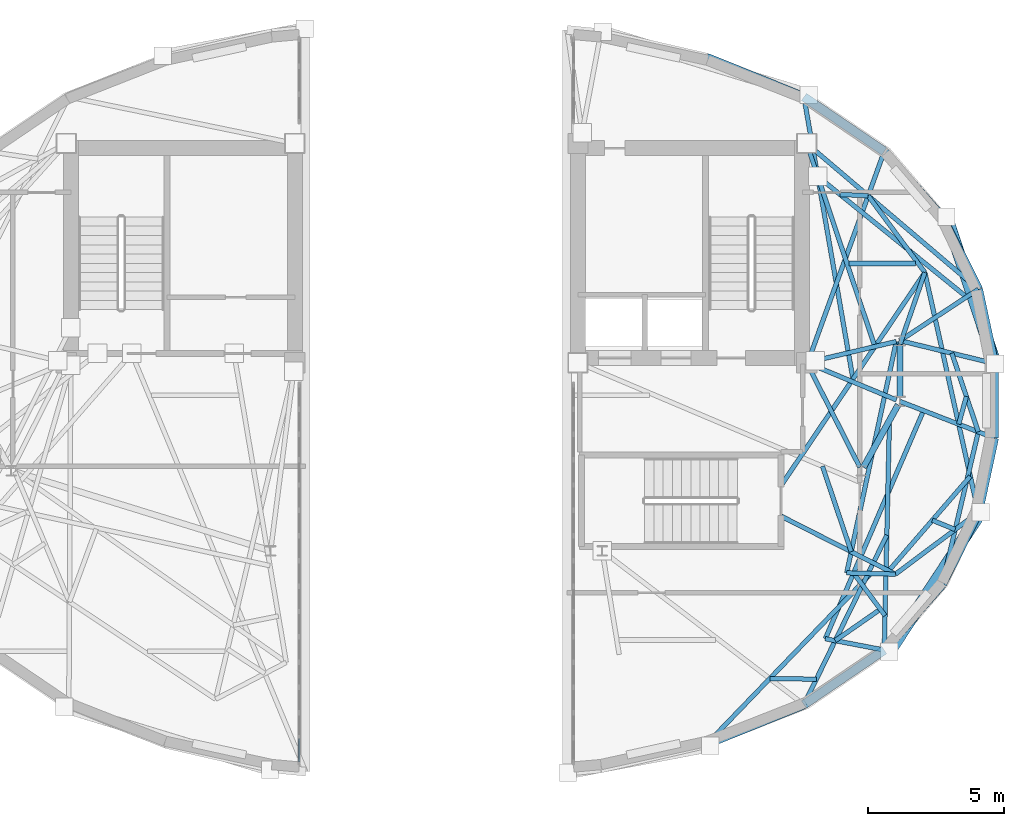
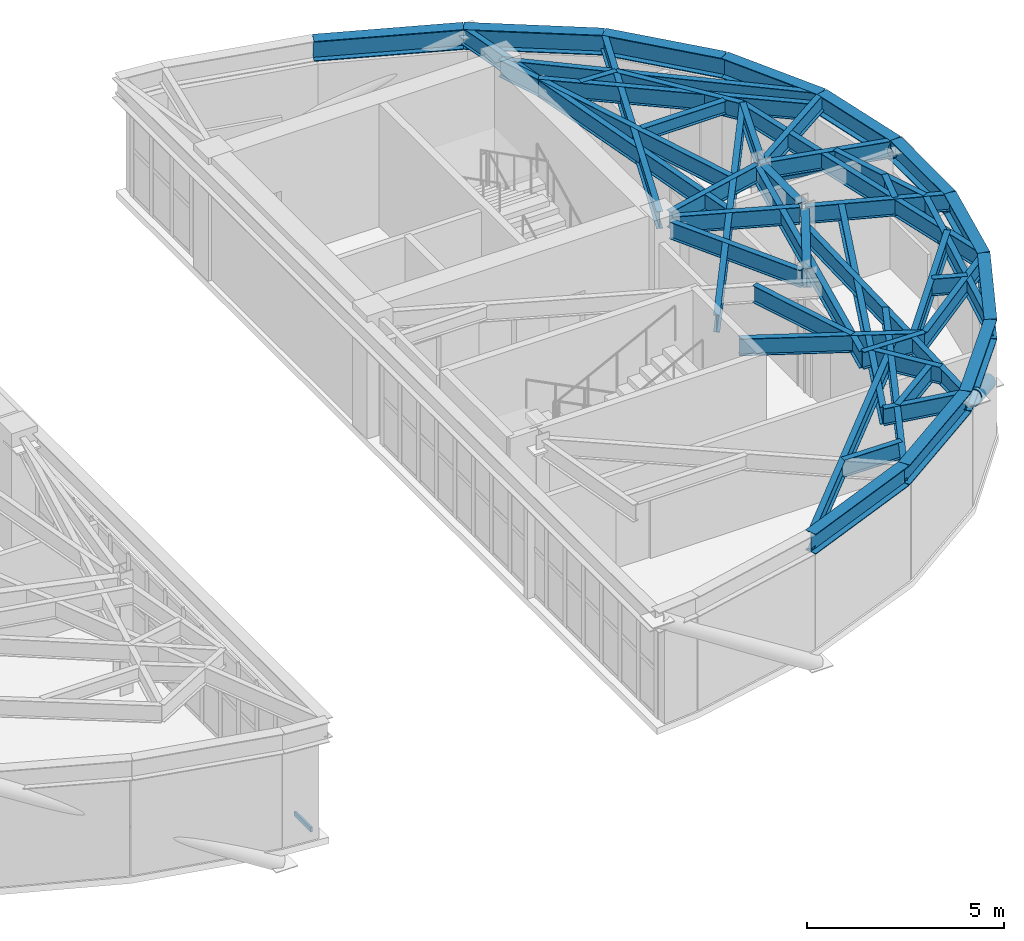
# One storey, part 5 of 13: 48 beams, 3 members, 1 element without a shape of its own.
"""IFC4 building model written with IfcOpenShell, lengths in metres."""

from ifc_helpers import new_model, si_unit, direction, frame, origin, origin_2d, place, context, subcontext, project, spatial, rectangle, hollow_circle, i_section, extrude, material, layer, layer_set, material_profile, profile_set, type_object, element, aggregate, save


model = new_model("IFC4")

# Units and contexts
model_context = context("Model", 3, precision=1e-05, world=origin(), true_north=direction((0.0, 1.0)))
body_context = subcontext(model_context, "Body", "Model", "MODEL_VIEW")
ifc_project = project(units=[si_unit("LENGTHUNIT", "METRE"), si_unit("AREAUNIT", "SQUARE_METRE"), si_unit("VOLUMEUNIT", "CUBIC_METRE"), si_unit("PLANEANGLEUNIT", "RADIAN"), si_unit("MASSUNIT", "GRAM", prefix="KILO")], contexts=[model_context])

# Site, building, storey
site_placement = place(None, origin())
site = spatial("IfcSite", under=ifc_project, at=site_placement, CompositionType="ELEMENT")
building_placement = place(site_placement, origin())
building = spatial("IfcBuilding", under=site, at=building_placement, Name="Keldmark Tower", CompositionType="ELEMENT")
storey_placement = place(building_placement, frame((0.0, 0.0, 273.0)))
storey = spatial("IfcBuildingStorey", under=building, at=storey_placement, Name="L77", CompositionType="ELEMENT", Elevation=273.0)

# Beam
ifc_material_1 = material(Name="Steel ASTM A992 Grade 50", Category="steel")
ifc_material_profile_1 = material_profile(ifc_material_1, i_section(OverallWidth=0.177978515625, OverallDepth=0.403076171875, WebThickness=0.007568359375, FlangeThickness=0.010986328125, at=origin_2d()), Name="W16X36")
ifc_profile_set_1 = profile_set([ifc_material_profile_1], Name="Steel ASTM A992 Grade 50")
beam_type_1 = type_object("IfcBeamType", Name="Composite Floor Joist W16X36", PredefinedType="JOIST", material=ifc_profile_set_1)
beam_1_placement = place(storey_placement, frame((15.160400390625, 5.0400390625, 3.3984375), z_axis=(1.0, 0.0, 0.0), x_axis=(0.0, 1.0, 0.0)))
element("IfcBeam", 1, at=beam_1_placement, inside=storey, type_object=beam_type_1, Name="L77 Composite Floor Joist J03", PredefinedType="JOIST", context=body_context, shape_type="SweptSolid", body=[
    extrude(i_section(OverallWidth=0.177978515625, OverallDepth=0.403076171875, WebThickness=0.007568359375, FlangeThickness=0.010986328125, at=origin_2d()), origin(), (0.0, 0.0, 1.0), 2.4423828125),
])

# Members
ifc_material_2 = material(Name="Steel ASTM A572 Grade 50", Category="steel")
ifc_material_profile_2 = material_profile(ifc_material_2, hollow_circle(Radius=0.22509765625, WallThickness=0.02197265625, at=origin_2d()), Name="CHS450X22")
ifc_profile_set_2 = profile_set([ifc_material_profile_2], Name="Steel ASTM A572 Grade 50")
member_type_1 = type_object("IfcMemberType", Name="Crown Frame Brace CHS450X22", PredefinedType="USERDEFINED", material=ifc_profile_set_2)
member_1_placement = place(storey_placement, frame((18.736328125, 6.7578125, -0.449951171875), z_axis=(0.261880141943, -0.788996947963, 0.555790074903), x_axis=(0.949086281616, 0.315016237752, 0.0)))
element("IfcMember", 2, at=member_1_placement, inside=storey, type_object=member_type_1, Name="L77 Crown Frame Diagonal E04", ObjectType="CROWN FRAME", PredefinedType="USERDEFINED", context=body_context, shape_type="SweptSolid", body=[
    extrude(hollow_circle(Radius=0.22509765625, WallThickness=0.02197265625, at=origin_2d()), origin(), (0.0, 0.0, 1.0), 6.837158203125),
])
member_2_placement = place(storey_placement, frame((19.99658203125, -4.092041015625, -0.449951171875), z_axis=(-0.465706241681, -0.710802312588, 0.527141128046), x_axis=(0.836456719746, -0.548032988051, 0.0)))
element("IfcMember", 3, at=member_2_placement, inside=storey, type_object=member_type_1, Name="L77 Crown Frame Diagonal E08", ObjectType="CROWN FRAME", PredefinedType="USERDEFINED", context=body_context, shape_type="SweptSolid", body=[
    extrude(hollow_circle(Radius=0.22509765625, WallThickness=0.02197265625, at=origin_2d()), origin(), (0.0, 0.0, 1.0), 7.208740234375),
])

# Curtain wall, member
ifc_material_3 = material(Name="Unitized Thermally Broken Aluminum and Triple Low-E Glazing", Category="aluminium")
ifc_layer = layer(ifc_material_3, 0.219970703125)
ifc_layer_set = layer_set([ifc_layer], Name="Unitized Thermally Broken Aluminum and Triple Low-E Glazing")
curtain_wall_type = type_object("IfcCurtainWallType", Name="Split-Top Crown Lantern Curtain Wall System", PredefinedType="NOTDEFINED", material=ifc_layer_set)
curtain_wall_placement = place(storey_placement, origin())
curtain_wall = element("IfcCurtainWall", 4, at=curtain_wall_placement, inside=storey, type_object=curtain_wall_type, Name="L77 Split-Top Crown Lantern Curtain Wall System CW-L77-WS14-0", PredefinedType="NOTDEFINED")
ifc_material_4 = material(Name="Extruded Aluminum Alloy 6063-T6", Category="aluminium")
ifc_material_profile_3 = material_profile(ifc_material_4, rectangle(XDim=0.06005859375, YDim=0.139892578125, at=origin_2d()), Name="CWT60X140")
ifc_profile_set_3 = profile_set([ifc_material_profile_3], Name="Extruded Aluminum Alloy 6063-T6")
member_type_2 = type_object("IfcMemberType", Name="Curtain Wall Horizontal Transom 60x140", PredefinedType="USERDEFINED", material=ifc_profile_set_3)
member_3_placement = place(storey_placement, frame((-5.0400390625, -13.251953125, 0.030029296875), z_axis=(0.0, 1.0, 0.0), x_axis=(-1.0, 0.0, 0.0)))
member_3 = element("IfcMember", 5, at=member_3_placement, type_object=member_type_2, Name="CW transom 1.1", ObjectType="TRANSOM", PredefinedType="USERDEFINED", context=body_context, shape_type="SweptSolid", body=[
    extrude(rectangle(XDim=0.06005859375, YDim=0.139892578125, at=origin_2d()), origin(), (0.0, 0.0, 1.0), 0.8388671875),
])
aggregate(curtain_wall, [member_3])

# Beams
ifc_material_5 = material(Name="Steel ASTM A992 Grade 50", Category="steel")
ifc_material_profile_4 = material_profile(ifc_material_5, i_section(OverallWidth=0.22802734375, OverallDepth=0.60302734375, WebThickness=0.010498046875, FlangeThickness=0.014892578125, at=origin_2d()), Name="W24X68")
ifc_profile_set_4 = profile_set([ifc_material_profile_4], Name="Steel ASTM A992 Grade 50")
beam_type_2 = type_object("IfcBeamType", Name="Primary Floor Girder W24X68", PredefinedType="BEAM", material=ifc_profile_set_4)
beam_2_placement = place(storey_placement, frame((15.68408203125, -2.44482421875, 3.298583984375), z_axis=(0.484719680408, 0.874669555561, 0.0), x_axis=(-0.874669555561, 0.484719680408, 0.0)))
element("IfcBeam", 6, at=beam_2_placement, inside=storey, type_object=beam_type_2, Name="L77 Floor Ring Girder FG-R07", PredefinedType="BEAM", context=body_context, shape_type="SweptSolid", body=[
    extrude(i_section(OverallWidth=0.22802734375, OverallDepth=0.60302734375, WebThickness=0.010498046875, FlangeThickness=0.014892578125, at=origin_2d()), origin(), (0.0, 0.0, 1.0), 2.627685546875),
])
beam_3_placement = place(storey_placement, frame((17.025634765625, 0.115966796875, 3.298583984375), z_axis=(0.0, 1.0, 0.0), x_axis=(-1.0, 0.0, 0.0)))
element("IfcBeam", 7, at=beam_3_placement, inside=storey, type_object=beam_type_2, Name="L77 Floor Ring Girder FG-R08", PredefinedType="BEAM", context=body_context, shape_type="SweptSolid", body=[
    extrude(i_section(OverallWidth=0.22802734375, OverallDepth=0.60302734375, WebThickness=0.010498046875, FlangeThickness=0.014892578125, at=origin_2d()), origin(), (0.0, 0.0, 1.0), 1.9521484375),
])
ifc_material_6 = material(Name="Steel ASTM A992 Grade 50", Category="steel")
ifc_material_profile_5 = material_profile(ifc_material_6, i_section(OverallWidth=0.166015625, OverallDepth=0.529052734375, WebThickness=0.009765625, FlangeThickness=0.013671875, at=origin_2d()), Name="W21X50")
ifc_profile_set_5 = profile_set([ifc_material_profile_5], Name="Steel ASTM A992 Grade 50")
beam_type_3 = type_object("IfcBeamType", Name="Radial Tie Girder W21X50", PredefinedType="BEAM", material=ifc_profile_set_5)
beam_4_placement = place(storey_placement, frame((16.889404296875, 2.17578125, 3.33544921875), z_axis=(-0.97329039005, -0.229577474147, 0.0), x_axis=(0.229577474147, -0.97329039005, 0.0)))
element("IfcBeam", 8, at=beam_4_placement, inside=storey, type_object=beam_type_3, Name="L77 Floor Radial Girder FG-C01", PredefinedType="BEAM", context=body_context, shape_type="SweptSolid", body=[
    extrude(i_section(OverallWidth=0.166015625, OverallDepth=0.529052734375, WebThickness=0.009765625, FlangeThickness=0.013671875, at=origin_2d()), origin(), (0.0, 0.0, 1.0), 3.0595703125),
])
beam_5_placement = place(storey_placement, frame((15.552734375, -2.442626953125, 3.33544921875), z_axis=(-0.453004410574, 0.89150827478, 0.0), x_axis=(-0.89150827478, -0.453004410574, 0.0)))
element("IfcBeam", 9, at=beam_5_placement, inside=storey, type_object=beam_type_3, Name="L77 Floor Radial Girder FG-C11", PredefinedType="BEAM", context=body_context, shape_type="SweptSolid", body=[
    extrude(i_section(OverallWidth=0.166015625, OverallDepth=0.529052734375, WebThickness=0.009765625, FlangeThickness=0.013671875, at=origin_2d()), origin(), (0.0, 0.0, 1.0), 3.990234375),
])
beam_6_placement = place(storey_placement, frame((16.896240234375, 0.02978515625, 3.33544921875), z_axis=(-0.923403331902, 0.383831065226, 0.0), x_axis=(-0.383831065226, -0.923403331902, 0.0)))
element("IfcBeam", 10, at=beam_6_placement, inside=storey, type_object=beam_type_3, Name="L77 Floor Radial Girder FG-C12", PredefinedType="BEAM", context=body_context, shape_type="SweptSolid", body=[
    extrude(i_section(OverallWidth=0.166015625, OverallDepth=0.529052734375, WebThickness=0.009765625, FlangeThickness=0.013671875, at=origin_2d()), origin(), (0.0, 0.0, 1.0), 3.249755859375),
])
beam_7_placement = place(storey_placement, frame((16.889404296875, 2.17578125, 3.33544921875), z_axis=(-0.209341049255, -0.977842689341, 0.0), x_axis=(0.977842689341, -0.209341049255, 0.0)))
element("IfcBeam", 11, at=beam_7_placement, inside=storey, type_object=beam_type_3, Name="L77 Sub-Ring Step Girder STP1-E07", PredefinedType="BEAM", context=body_context, shape_type="SweptSolid", body=[
    extrude(i_section(OverallWidth=0.166015625, OverallDepth=0.529052734375, WebThickness=0.009765625, FlangeThickness=0.013671875, at=origin_2d()), origin(), (0.0, 0.0, 1.0), 8.689697265625),
])
beam_8_placement = place(storey_placement, frame((13.60009765625, 9.449951171875, 3.33544921875), z_axis=(0.318321419366, -0.947982844767, 0.0), x_axis=(0.947982844767, 0.318321419366, 0.0)))
element("IfcBeam", 12, at=beam_8_placement, inside=storey, type_object=beam_type_3, Name="L77 Framing Pin Header PH-002", PredefinedType="BEAM", context=body_context, shape_type="SweptSolid", body=[
    extrude(i_section(OverallWidth=0.166015625, OverallDepth=0.529052734375, WebThickness=0.009765625, FlangeThickness=0.013671875, at=origin_2d()), origin(), (0.0, 0.0, 1.0), 7.8681640625),
])
beam_9_placement = place(storey_placement, frame((12.659912109375, -3.11328125, 3.33544921875), z_axis=(0.559424434358, 0.828881355951, 0.0), x_axis=(-0.828881355951, 0.559424434358, 0.0)))
element("IfcBeam", 13, at=beam_9_placement, inside=storey, type_object=beam_type_3, Name="L77 Intermediate Radial Step Girder CRT-E05M", PredefinedType="BEAM", context=body_context, shape_type="SweptSolid", body=[
    extrude(i_section(OverallWidth=0.166015625, OverallDepth=0.529052734375, WebThickness=0.009765625, FlangeThickness=0.013671875, at=origin_2d()), origin(), (0.0, 0.0, 1.0), 9.439208984375),
])
beam_10_placement = place(storey_placement, frame((17.025634765625, 2.068115234375, 3.33544921875), z_axis=(0.327128555163, 0.944979845498, 0.0), x_axis=(-0.944979845498, 0.327128555163, 0.0)))
element("IfcBeam", 14, at=beam_10_placement, inside=storey, type_object=beam_type_3, Name="L77 Local Collector Chord CRT-E05C", PredefinedType="BEAM", context=body_context, shape_type="SweptSolid", body=[
    extrude(i_section(OverallWidth=0.166015625, OverallDepth=0.529052734375, WebThickness=0.009765625, FlangeThickness=0.013671875, at=origin_2d()), origin(), (0.0, 0.0, 1.0), 2.79638671875),
])
beam_11_placement = place(storey_placement, frame((17.025634765625, 2.2080078125, 3.33544921875), z_axis=(0.836152632855, 0.548496831869, 0.0), x_axis=(-0.548496831869, 0.836152632855, 0.0)))
element("IfcBeam", 15, at=beam_11_placement, inside=storey, type_object=beam_type_3, Name="L77 Perimeter Column Bracket CRT-E06", PredefinedType="BEAM", context=body_context, shape_type="SweptSolid", body=[
    extrude(i_section(OverallWidth=0.166015625, OverallDepth=0.529052734375, WebThickness=0.009765625, FlangeThickness=0.013671875, at=origin_2d()), origin(), (0.0, 0.0, 1.0), 3.441650390625),
])
beam_12_placement = place(storey_placement, frame((17.025634765625, 2.2080078125, 3.33544921875), z_axis=(0.971881945313, -0.235468648389, 0.0), x_axis=(0.235468648389, 0.971881945313, 0.0)))
element("IfcBeam", 16, at=beam_12_placement, inside=storey, type_object=beam_type_3, Name="L77 Perimeter Column Bracket CRT-E07", PredefinedType="BEAM", context=body_context, shape_type="SweptSolid", body=[
    extrude(i_section(OverallWidth=0.166015625, OverallDepth=0.529052734375, WebThickness=0.009765625, FlangeThickness=0.013671875, at=origin_2d()), origin(), (0.0, 0.0, 1.0), 3.5634765625),
])
beam_13_placement = place(storey_placement, frame((17.025634765625, -0.02392578125, 3.33544921875), z_axis=(0.932177211509, -0.362002273947, 0.0), x_axis=(0.362002273947, 0.932177211509, 0.0)))
element("IfcBeam", 17, at=beam_13_placement, inside=storey, type_object=beam_type_3, Name="L77 Perimeter Column Bracket CRT-E08", PredefinedType="BEAM", context=body_context, shape_type="SweptSolid", body=[
    extrude(i_section(OverallWidth=0.166015625, OverallDepth=0.529052734375, WebThickness=0.009765625, FlangeThickness=0.013671875, at=origin_2d()), origin(), (0.0, 0.0, 1.0), 3.71533203125),
])
beam_14_placement = place(storey_placement, frame((18.930419921875, 1.74658203125, 3.33544921875), z_axis=(0.319254465758, -0.947669027717, 0.0), x_axis=(0.947669027717, 0.319254465758, 0.0)))
element("IfcBeam", 18, at=beam_14_placement, inside=storey, type_object=beam_type_3, Name="L77 Framing Pin Header PH-003", PredefinedType="BEAM", context=body_context, shape_type="SweptSolid", body=[
    extrude(i_section(OverallWidth=0.166015625, OverallDepth=0.529052734375, WebThickness=0.009765625, FlangeThickness=0.013671875, at=origin_2d()), origin(), (0.0, 0.0, 1.0), 3.04736328125),
])
beam_15_placement = place(storey_placement, frame((19.465576171875, 0.158203125, 3.33544921875), z_axis=(-0.26758437658, -0.963534431876, 0.0), x_axis=(0.963534431876, -0.26758437658, 0.0)))
element("IfcBeam", 19, at=beam_15_placement, inside=storey, type_object=beam_type_3, Name="L77 Framing Pin Header PH-004", PredefinedType="BEAM", context=body_context, shape_type="SweptSolid", body=[
    extrude(i_section(OverallWidth=0.166015625, OverallDepth=0.529052734375, WebThickness=0.009765625, FlangeThickness=0.013671875, at=origin_2d()), origin(), (0.0, 0.0, 1.0), 1.058349609375),
])
beam_16_placement = place(storey_placement, frame((17.9404296875, 4.710693359375, 3.33544921875), z_axis=(0.217555000643, -0.97604806321, 0.0), x_axis=(0.97604806321, 0.217555000643, 0.0)))
element("IfcBeam", 20, at=beam_16_placement, inside=storey, type_object=beam_type_3, Name="L77 Perimeter Radial Tie Girder CRT-E09", PredefinedType="BEAM", context=body_context, shape_type="SweptSolid", body=[
    extrude(i_section(OverallWidth=0.166015625, OverallDepth=0.529052734375, WebThickness=0.009765625, FlangeThickness=0.013671875, at=origin_2d()), origin(), (0.0, 0.0, 1.0), 9.0224609375),
])
beam_17_placement = place(storey_placement, frame((14.179931640625, -2.406005859375, 3.33544921875), z_axis=(0.319057179734, -0.947735467343, 0.0), x_axis=(0.947735467343, 0.319057179734, 0.0)))
element("IfcBeam", 21, at=beam_17_placement, inside=storey, type_object=beam_type_3, Name="L77 Framing Pin Header PH-005", PredefinedType="BEAM", context=body_context, shape_type="SweptSolid", body=[
    extrude(i_section(OverallWidth=0.166015625, OverallDepth=0.529052734375, WebThickness=0.009765625, FlangeThickness=0.013671875, at=origin_2d()), origin(), (0.0, 0.0, 1.0), 3.311767578125),
])
beam_18_placement = place(storey_placement, frame((12.659912109375, -4.23681640625, 3.33544921875), z_axis=(0.891715373113, -0.452596612176, 0.0), x_axis=(0.452596612176, 0.891715373113, 0.0)))
element("IfcBeam", 22, at=beam_18_placement, inside=storey, type_object=beam_type_3, Name="L77 Intermediate Radial Step Girder CRT-E10M", PredefinedType="BEAM", context=body_context, shape_type="SweptSolid", body=[
    extrude(i_section(OverallWidth=0.166015625, OverallDepth=0.529052734375, WebThickness=0.009765625, FlangeThickness=0.013671875, at=origin_2d()), origin(), (0.0, 0.0, 1.0), 4.709716796875),
])
beam_19_placement = place(storey_placement, frame((15.0703125, -6.3212890625, 3.33544921875), z_axis=(0.99965344723, -0.026324616635, 0.0), x_axis=(0.026324616635, 0.99965344723, 0.0)))
element("IfcBeam", 23, at=beam_19_placement, inside=storey, type_object=beam_type_3, Name="L77 Local Collector Chord CRT-E10C", PredefinedType="BEAM", context=body_context, shape_type="SweptSolid", body=[
    extrude(i_section(OverallWidth=0.166015625, OverallDepth=0.529052734375, WebThickness=0.009765625, FlangeThickness=0.013671875, at=origin_2d()), origin(), (0.0, 0.0, 1.0), 1.7900390625),
])
beam_20_placement = place(storey_placement, frame((19.60888671875, -2.774658203125, 3.33544921875), z_axis=(-0.653774157092, -0.756689732664, 0.0), x_axis=(0.756689732664, -0.653774157092, 0.0)))
element("IfcBeam", 24, at=beam_20_placement, inside=storey, type_object=beam_type_3, Name="L77 Framing Pin Header PH-006", PredefinedType="BEAM", context=body_context, shape_type="SweptSolid", body=[
    extrude(i_section(OverallWidth=0.166015625, OverallDepth=0.529052734375, WebThickness=0.009765625, FlangeThickness=0.013671875, at=origin_2d()), origin(), (0.0, 0.0, 1.0), 4.7373046875),
])
beam_21_placement = place(storey_placement, frame((16.639404296875, -0.72119140625, 3.33544921875), z_axis=(-0.022626104986, -0.999743996918, 0.0), x_axis=(0.999743996918, -0.022626104986, 0.0)))
element("IfcBeam", 25, at=beam_21_placement, inside=storey, type_object=beam_type_3, Name="L77 Perimeter Radial Tie Girder CRT-E11", PredefinedType="BEAM", context=body_context, shape_type="SweptSolid", body=[
    extrude(i_section(OverallWidth=0.166015625, OverallDepth=0.529052734375, WebThickness=0.009765625, FlangeThickness=0.013671875, at=origin_2d()), origin(), (0.0, 0.0, 1.0), 8.43798828125),
])
beam_22_placement = place(storey_placement, frame((16.47705078125, -7.8916015625, 3.33544921875), z_axis=(-0.5939742512, 0.804484051372, 0.0), x_axis=(-0.804484051372, -0.5939742512, 0.0)))
element("IfcBeam", 26, at=beam_22_placement, inside=storey, type_object=beam_type_3, Name="L77 Framing Pin Header PH-007", PredefinedType="BEAM", context=body_context, shape_type="SweptSolid", body=[
    extrude(i_section(OverallWidth=0.166015625, OverallDepth=0.529052734375, WebThickness=0.009765625, FlangeThickness=0.013671875, at=origin_2d()), origin(), (0.0, 0.0, 1.0), 1.94384765625),
])
beam_23_placement = place(storey_placement, frame((17.891357421875, -0.360107421875, 3.33544921875), z_axis=(-0.395378703545, -0.918518198395, 0.0), x_axis=(0.918518198395, -0.395378703545, 0.0)))
element("IfcBeam", 27, at=beam_23_placement, inside=storey, type_object=beam_type_3, Name="L77 Intermediate Radial Step Girder CRT-E12M", PredefinedType="BEAM", context=body_context, shape_type="SweptSolid", body=[
    extrude(i_section(OverallWidth=0.166015625, OverallDepth=0.529052734375, WebThickness=0.009765625, FlangeThickness=0.013671875, at=origin_2d()), origin(), (0.0, 0.0, 1.0), 9.122802734375),
])
beam_24_placement = place(storey_placement, frame((16.448486328125, -9.156982421875, 3.33544921875), z_axis=(-0.981895663116, 0.189422561364, 0.0), x_axis=(-0.189422561364, -0.981895663116, 0.0)))
element("IfcBeam", 28, at=beam_24_placement, inside=storey, type_object=beam_type_3, Name="L77 Local Collector Chord CRT-E12C", PredefinedType="BEAM", context=body_context, shape_type="SweptSolid", body=[
    extrude(i_section(OverallWidth=0.166015625, OverallDepth=0.529052734375, WebThickness=0.009765625, FlangeThickness=0.013671875, at=origin_2d()), origin(), (0.0, 0.0, 1.0), 2.203857421875),
])
beam_25_placement = place(storey_placement, frame((16.303955078125, -7.656982421875, 3.33544921875), z_axis=(-0.820594252534, -0.571511218358, 0.0), x_axis=(0.571511218358, -0.820594252534, 0.0)))
element("IfcBeam", 29, at=beam_25_placement, inside=storey, type_object=beam_type_3, Name="L77 Framing Pin Header PH-008", PredefinedType="BEAM", context=body_context, shape_type="SweptSolid", body=[
    extrude(i_section(OverallWidth=0.166015625, OverallDepth=0.529052734375, WebThickness=0.009765625, FlangeThickness=0.013671875, at=origin_2d()), origin(), (0.0, 0.0, 1.0), 2.01708984375),
])
beam_26_placement = place(storey_placement, frame((16.5439453125, -4.93896484375, 3.33544921875), z_axis=(-0.439779815555, -0.898105625097, 0.0), x_axis=(0.898105625097, -0.439779815555, 0.0)))
element("IfcBeam", 30, at=beam_26_placement, inside=storey, type_object=beam_type_3, Name="L77 Perimeter Radial Tie Girder CRT-E12", PredefinedType="BEAM", context=body_context, shape_type="SweptSolid", body=[
    extrude(i_section(OverallWidth=0.166015625, OverallDepth=0.529052734375, WebThickness=0.009765625, FlangeThickness=0.013671875, at=origin_2d()), origin(), (0.0, 0.0, 1.0), 6.92431640625),
])
beam_27_placement = place(storey_placement, frame((19.4716796875, 3.8125, 3.33544921875), z_axis=(-0.777003951001, 0.629495718913, 0.0), x_axis=(-0.629495718913, -0.777003951001, 0.0)))
element("IfcBeam", 31, at=beam_27_placement, inside=storey, type_object=beam_type_3, Name="L77 Framing Pin Header PH-009", PredefinedType="BEAM", context=body_context, shape_type="SweptSolid", body=[
    extrude(i_section(OverallWidth=0.166015625, OverallDepth=0.529052734375, WebThickness=0.009765625, FlangeThickness=0.013671875, at=origin_2d()), origin(), (0.0, 0.0, 1.0), 7.0341796875),
])
beam_28_placement = place(storey_placement, frame((15.30029296875, 0.798583984375, 3.33544921875), z_axis=(-0.171334315504, 0.985212947708, 0.0), x_axis=(-0.985212947708, -0.171334315504, 0.0)))
element("IfcBeam", 32, at=beam_28_placement, inside=storey, type_object=beam_type_3, Name="L77 Perimeter Radial Tie Girder CRT-E03R", PredefinedType="BEAM", context=body_context, shape_type="SweptSolid", body=[
    extrude(i_section(OverallWidth=0.166015625, OverallDepth=0.529052734375, WebThickness=0.009765625, FlangeThickness=0.013671875, at=origin_2d()), origin(), (0.0, 0.0, 1.0), 10.5146484375),
])
beam_29_placement = place(storey_placement, frame((19.9033203125, 4.095703125, 3.33544921875), z_axis=(-0.762147589353, 0.647403314823, 0.0), x_axis=(-0.647403314823, -0.762147589353, 0.0)))
element("IfcBeam", 33, at=beam_29_placement, inside=storey, type_object=beam_type_3, Name="L77 Straddling Support Chord CRT-E04RB", PredefinedType="BEAM", context=body_context, shape_type="SweptSolid", body=[
    extrude(i_section(OverallWidth=0.166015625, OverallDepth=0.529052734375, WebThickness=0.009765625, FlangeThickness=0.013671875, at=origin_2d()), origin(), (0.0, 0.0, 1.0), 8.270263671875),
])
beam_30_placement = place(storey_placement, frame((14.825927734375, 7.576171875, 3.33544921875), z_axis=(0.999045886046, -0.043672847098, 0.0), x_axis=(0.043672847098, 0.999045886046, 0.0)))
element("IfcBeam", 34, at=beam_30_placement, inside=storey, type_object=beam_type_3, Name="L77 Framing Pin Header PH-010", PredefinedType="BEAM", context=body_context, shape_type="SweptSolid", body=[
    extrude(i_section(OverallWidth=0.166015625, OverallDepth=0.529052734375, WebThickness=0.009765625, FlangeThickness=0.013671875, at=origin_2d()), origin(), (0.0, 0.0, 1.0), 1.0341796875),
])
beam_31_placement = place(storey_placement, frame((13.699951171875, 1.574951171875, 3.33544921875), z_axis=(0.340804674872, 0.940134125317, 0.0), x_axis=(-0.940134125317, 0.340804674872, 0.0)))
element("IfcBeam", 35, at=beam_31_placement, inside=storey, type_object=beam_type_3, Name="L77 Perimeter Radial Tie Girder CRT-E04R", PredefinedType="BEAM", context=body_context, shape_type="SweptSolid", body=[
    extrude(i_section(OverallWidth=0.166015625, OverallDepth=0.529052734375, WebThickness=0.009765625, FlangeThickness=0.013671875, at=origin_2d()), origin(), (0.0, 0.0, 1.0), 8.06494140625),
])
beam_32_placement = place(storey_placement, frame((17.9404296875, 4.710693359375, 3.33544921875), z_axis=(-0.593785735336, 0.804623204059, 0.0), x_axis=(-0.804623204059, -0.593785735336, 0.0)))
element("IfcBeam", 36, at=beam_32_placement, inside=storey, type_object=beam_type_3, Name="L77 Straddling Support Chord CRT-E05RB", PredefinedType="BEAM", context=body_context, shape_type="SweptSolid", body=[
    extrude(i_section(OverallWidth=0.166015625, OverallDepth=0.529052734375, WebThickness=0.009765625, FlangeThickness=0.013671875, at=origin_2d()), origin(), (0.0, 0.0, 1.0), 3.505126953125),
])
beam_33_placement = place(storey_placement, frame((16.859619140625, -6.368408203125, 3.33544921875), z_axis=(0.801270773115, 0.598301887137, 0.0), x_axis=(-0.598301887137, 0.801270773115, 0.0)))
element("IfcBeam", 37, at=beam_33_placement, inside=storey, type_object=beam_type_3, Name="L77 Straddling Support Chord CRT-E10RB", PredefinedType="BEAM", context=body_context, shape_type="SweptSolid", body=[
    extrude(i_section(OverallWidth=0.166015625, OverallDepth=0.529052734375, WebThickness=0.009765625, FlangeThickness=0.013671875, at=origin_2d()), origin(), (0.0, 0.0, 1.0), 3.798583984375),
])
beam_34_placement = place(storey_placement, frame((18.215087890625, -4.3876953125, 3.33544921875), z_axis=(0.926381428143, -0.376586576489, 0.0), x_axis=(0.376586576489, 0.926381428143, 0.0)))
element("IfcBeam", 38, at=beam_34_placement, inside=storey, type_object=beam_type_3, Name="L77 Framing Pin Header PH-011", PredefinedType="BEAM", context=body_context, shape_type="SweptSolid", body=[
    extrude(i_section(OverallWidth=0.166015625, OverallDepth=0.529052734375, WebThickness=0.009765625, FlangeThickness=0.013671875, at=origin_2d()), origin(), (0.0, 0.0, 1.0), 0.90625),
])
beam_35_placement = place(storey_placement, frame((19.9033203125, -1.141357421875, 3.33544921875), z_axis=(-0.230137320693, -0.973158164752, 0.0), x_axis=(0.973158164752, -0.230137320693, 0.0)))
element("IfcBeam", 39, at=beam_35_placement, inside=storey, type_object=beam_type_3, Name="L77 Perimeter Radial Tie Girder CRT-E10R", PredefinedType="BEAM", context=body_context, shape_type="SweptSolid", body=[
    extrude(i_section(OverallWidth=0.166015625, OverallDepth=0.529052734375, WebThickness=0.009765625, FlangeThickness=0.013671875, at=origin_2d()), origin(), (0.0, 0.0, 1.0), 5.749755859375),
])
beam_36_placement = place(storey_placement, frame((13.955810546875, -10.22509765625, 3.33544921875), z_axis=(-0.999915631263, 0.012989624903, 0.0), x_axis=(-0.012989624903, -0.999915631263, 0.0)))
element("IfcBeam", 40, at=beam_36_placement, inside=storey, type_object=beam_type_3, Name="L77 Framing Pin Header PH-012", PredefinedType="BEAM", context=body_context, shape_type="SweptSolid", body=[
    extrude(i_section(OverallWidth=0.166015625, OverallDepth=0.529052734375, WebThickness=0.009765625, FlangeThickness=0.013671875, at=origin_2d()), origin(), (0.0, 0.0, 1.0), 1.71044921875),
])
beam_37_placement = place(storey_placement, frame((15.96484375, -6.344970703125, 3.33544921875), z_axis=(-0.694027460783, -0.719948528493, 0.0), x_axis=(0.719948528493, -0.694027460783, 0.0)))
element("IfcBeam", 41, at=beam_37_placement, inside=storey, type_object=beam_type_3, Name="L77 Perimeter Radial Tie Girder CRT-E13R", PredefinedType="BEAM", context=body_context, shape_type="SweptSolid", body=[
    extrude(i_section(OverallWidth=0.166015625, OverallDepth=0.529052734375, WebThickness=0.009765625, FlangeThickness=0.013671875, at=origin_2d()), origin(), (0.0, 0.0, 1.0), 8.693359375),
])
ifc_material_7 = material(Name="Steel ASTM A992 Grade 50", Category="steel")
ifc_material_profile_6 = material_profile(ifc_material_7, i_section(OverallWidth=0.326904296875, OverallDepth=0.6220703125, WebThickness=0.015380859375, FlangeThickness=0.0244140625, at=origin_2d()), Name="W24X131")
ifc_profile_set_6 = profile_set([ifc_material_profile_6], Name="Steel ASTM A992 Grade 50")
beam_type_4 = type_object("IfcBeamType", Name="Spandrel Ring Beam W24X131", PredefinedType="SPANDREL", material=ifc_profile_set_6)
beam_38_placement = place(storey_placement, frame((9.931396484375, 12.603759765625, 3.2890625), z_axis=(0.926756575641, -0.375662414284, 0.0), x_axis=(0.375662414284, 0.926756575641, 0.0)))
element("IfcBeam", 42, at=beam_38_placement, inside=storey, type_object=beam_type_4, Name="L77 Crown Spandrel Ring Beam CRB-E02", PredefinedType="SPANDREL", context=body_context, shape_type="SweptSolid", body=[
    extrude(i_section(OverallWidth=0.326904296875, OverallDepth=0.6220703125, WebThickness=0.015380859375, FlangeThickness=0.0244140625, at=origin_2d()), origin(), (0.0, 0.0, 1.0), 3.849365234375),
])
beam_39_placement = place(storey_placement, frame((13.498779296875, 11.15771484375, 3.2890625), z_axis=(0.827587148851, -0.561337252511, 0.0), x_axis=(0.561337252511, 0.827587148851, 0.0)))
element("IfcBeam", 43, at=beam_39_placement, inside=storey, type_object=beam_type_4, Name="L77 Crown Spandrel Ring Beam CRB-E03", PredefinedType="SPANDREL", context=body_context, shape_type="SweptSolid", body=[
    extrude(i_section(OverallWidth=0.326904296875, OverallDepth=0.6220703125, WebThickness=0.015380859375, FlangeThickness=0.0244140625, at=origin_2d()), origin(), (0.0, 0.0, 1.0), 3.564208984375),
])
beam_40_placement = place(storey_placement, frame((16.448486328125, 9.156982421875, 3.2890625), z_axis=(0.660950367641, -0.750429617962, 0.0), x_axis=(0.750429617962, 0.660950367641, 0.0)))
element("IfcBeam", 44, at=beam_40_placement, inside=storey, type_object=beam_type_4, Name="L77 Crown Spandrel Ring Beam CRB-E04", PredefinedType="SPANDREL", context=body_context, shape_type="SweptSolid", body=[
    extrude(i_section(OverallWidth=0.326904296875, OverallDepth=0.6220703125, WebThickness=0.015380859375, FlangeThickness=0.0244140625, at=origin_2d()), origin(), (0.0, 0.0, 1.0), 3.22509765625),
])
beam_41_placement = place(storey_placement, frame((18.580078125, 6.73681640625, 3.2890625), z_axis=(0.447940731501, -0.89406325339, 0.0), x_axis=(0.89406325339, 0.447940731501, 0.0)))
element("IfcBeam", 45, at=beam_41_placement, inside=storey, type_object=beam_type_4, Name="L77 Crown Spandrel Ring Beam CRB-E05", PredefinedType="SPANDREL", context=body_context, shape_type="SweptSolid", body=[
    extrude(i_section(OverallWidth=0.326904296875, OverallDepth=0.6220703125, WebThickness=0.015380859375, FlangeThickness=0.0244140625, at=origin_2d()), origin(), (0.0, 0.0, 1.0), 2.9541015625),
])
beam_42_placement = place(storey_placement, frame((19.9033203125, 4.095703125, 3.2890625), z_axis=(0.210001337248, -0.977701098677, 0.0), x_axis=(0.977701098677, 0.210001337248, 0.0)))
element("IfcBeam", 46, at=beam_42_placement, inside=storey, type_object=beam_type_4, Name="L77 Crown Spandrel Ring Beam CRB-E06", PredefinedType="SPANDREL", context=body_context, shape_type="SweptSolid", body=[
    extrude(i_section(OverallWidth=0.326904296875, OverallDepth=0.6220703125, WebThickness=0.015380859375, FlangeThickness=0.0244140625, at=origin_2d()), origin(), (0.0, 0.0, 1.0), 2.7890625),
])
beam_43_placement = place(storey_placement, frame((20.489013671875, 1.368896484375, 3.2890625), z_axis=(0.0, -1.0, 0.0), x_axis=(1.0, 0.0, 0.0)))
element("IfcBeam", 47, at=beam_43_placement, inside=storey, type_object=beam_type_4, Name="L77 Crown Spandrel Ring Beam CRB-E07", PredefinedType="SPANDREL", context=body_context, shape_type="SweptSolid", body=[
    extrude(i_section(OverallWidth=0.326904296875, OverallDepth=0.6220703125, WebThickness=0.015380859375, FlangeThickness=0.0244140625, at=origin_2d()), origin(), (0.0, 0.0, 1.0), 2.73779296875),
])
beam_44_placement = place(storey_placement, frame((20.489013671875, -1.368896484375, 3.2890625), z_axis=(-0.210001337248, -0.977701098677, 0.0), x_axis=(0.977701098677, -0.210001337248, 0.0)))
element("IfcBeam", 48, at=beam_44_placement, inside=storey, type_object=beam_type_4, Name="L77 Crown Spandrel Ring Beam CRB-E08", PredefinedType="SPANDREL", context=body_context, shape_type="SweptSolid", body=[
    extrude(i_section(OverallWidth=0.326904296875, OverallDepth=0.6220703125, WebThickness=0.015380859375, FlangeThickness=0.0244140625, at=origin_2d()), origin(), (0.0, 0.0, 1.0), 2.7890625),
])
beam_45_placement = place(storey_placement, frame((19.9033203125, -4.095703125, 3.2890625), z_axis=(-0.447940731501, -0.89406325339, 0.0), x_axis=(0.89406325339, -0.447940731501, 0.0)))
element("IfcBeam", 49, at=beam_45_placement, inside=storey, type_object=beam_type_4, Name="L77 Crown Spandrel Ring Beam CRB-E09", PredefinedType="SPANDREL", context=body_context, shape_type="SweptSolid", body=[
    extrude(i_section(OverallWidth=0.326904296875, OverallDepth=0.6220703125, WebThickness=0.015380859375, FlangeThickness=0.0244140625, at=origin_2d()), origin(), (0.0, 0.0, 1.0), 2.9541015625),
])
beam_46_placement = place(storey_placement, frame((18.580078125, -6.73681640625, 3.2890625), z_axis=(-0.660950367641, -0.750429617962, 0.0), x_axis=(0.750429617962, -0.660950367641, 0.0)))
element("IfcBeam", 50, at=beam_46_placement, inside=storey, type_object=beam_type_4, Name="L77 Crown Spandrel Ring Beam CRB-E10", PredefinedType="SPANDREL", context=body_context, shape_type="SweptSolid", body=[
    extrude(i_section(OverallWidth=0.326904296875, OverallDepth=0.6220703125, WebThickness=0.015380859375, FlangeThickness=0.0244140625, at=origin_2d()), origin(), (0.0, 0.0, 1.0), 3.22509765625),
])
beam_47_placement = place(storey_placement, frame((16.448486328125, -9.156982421875, 3.2890625), z_axis=(-0.827587148851, -0.561337252511, 0.0), x_axis=(0.561337252511, -0.827587148851, 0.0)))
element("IfcBeam", 51, at=beam_47_placement, inside=storey, type_object=beam_type_4, Name="L77 Crown Spandrel Ring Beam CRB-E11", PredefinedType="SPANDREL", context=body_context, shape_type="SweptSolid", body=[
    extrude(i_section(OverallWidth=0.326904296875, OverallDepth=0.6220703125, WebThickness=0.015380859375, FlangeThickness=0.0244140625, at=origin_2d()), origin(), (0.0, 0.0, 1.0), 3.564208984375),
])
beam_48_placement = place(storey_placement, frame((13.498779296875, -11.15771484375, 3.2890625), z_axis=(-0.926756575641, -0.375662414284, 0.0), x_axis=(0.375662414284, -0.926756575641, 0.0)))
element("IfcBeam", 52, at=beam_48_placement, inside=storey, type_object=beam_type_4, Name="L77 Crown Spandrel Ring Beam CRB-E12", PredefinedType="SPANDREL", context=body_context, shape_type="SweptSolid", body=[
    extrude(i_section(OverallWidth=0.326904296875, OverallDepth=0.6220703125, WebThickness=0.015380859375, FlangeThickness=0.0244140625, at=origin_2d()), origin(), (0.0, 0.0, 1.0), 3.849365234375),
])

save(model, "model.ifc")
